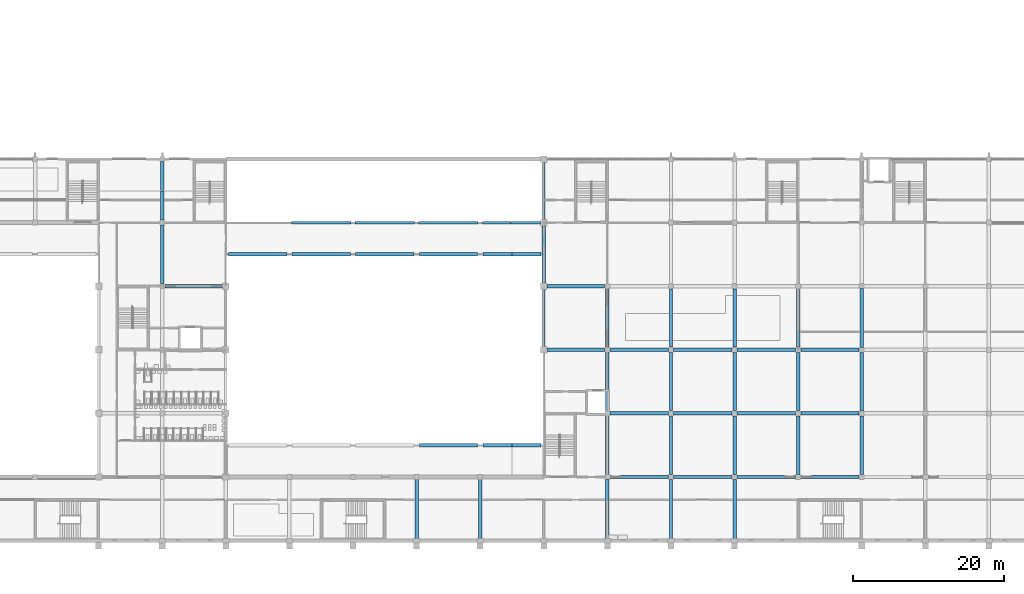
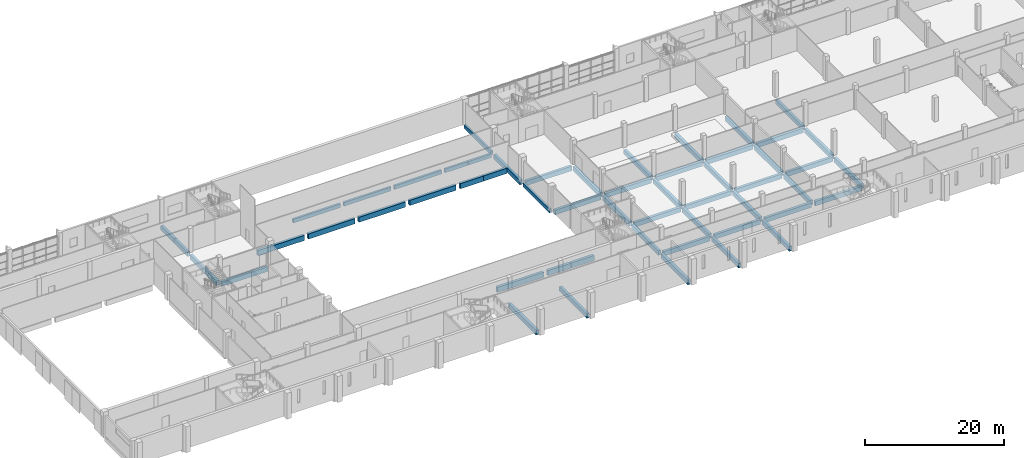
# One storey, part 3 of 64: 55 beams.
"""IFC4 building model written with IfcOpenShell, lengths in metres."""

from ifc_helpers import new_model, si_unit, direction, frame, origin, origin_2d, place, context, subcontext, project, spatial, rectangle, extrude, material, material_profile, profile_set, type_object, element, save


model = new_model("IFC4")

# Units and contexts
model_context = context("Model", 3, precision=1e-05, world=origin(), true_north=direction((0.0, 1.0)))
body_context = subcontext(model_context, "Body", "Model", "MODEL_VIEW")
ifc_project = project(units=[si_unit("LENGTHUNIT", "METRE"), si_unit("AREAUNIT", "SQUARE_METRE"), si_unit("VOLUMEUNIT", "CUBIC_METRE"), si_unit("PLANEANGLEUNIT", "RADIAN"), si_unit("MASSUNIT", "GRAM", prefix="KILO")], contexts=[model_context])

# Site, building, storey
site_placement = place(None, origin())
site = spatial("IfcSite", under=ifc_project, at=site_placement, CompositionType="ELEMENT")
building_placement = place(site_placement, origin())
building = spatial("IfcBuilding", under=site, at=building_placement, Name="Rulbaag Community and Learning Centre", CompositionType="ELEMENT")
storey_placement = place(building_placement, frame((0.0, 0.0, 5.39990234375)))
storey = spatial("IfcBuildingStorey", under=building, at=storey_placement, Name="L01", CompositionType="ELEMENT", Elevation=5.39990234375)

# Beams
ifc_material = material(Name="Concrete M40", Category="concrete")
ifc_material_profile_1 = material_profile(ifc_material, rectangle(XDim=0.449951171875, YDim=0.89990234375, at=origin_2d()), Name="RB450x900")
ifc_profile_set_1 = profile_set([ifc_material_profile_1], Name="Concrete M40")
beam_type_1 = type_object("IfcBeamType", Name="B11 Gallery edge beam 450x900 Concrete M40", PredefinedType="BEAM", material=ifc_profile_set_1)
for number, where, z_axis, x_axis, name in (
    (1, (67.550048828125, 12.60009765625, -0.75), (1.0, 0.0, 0.0), (0.0, 1.0, 0.0), "BM-GAL-12-67"),
    (2, (42.35009765625, 37.800048828125, -0.75), (1.0, 0.0, 0.0), (0.0, 1.0, 0.0), "BM-GAL-37-42"),
    (3, (50.75, 37.800048828125, -0.75), (1.0, 0.0, 0.0), (0.0, 1.0, 0.0), "BM-GAL-37-50"),
):
    element("IfcBeam", number, at=place(storey_placement, frame(where, z_axis=z_axis, x_axis=x_axis)), inside=storey, type_object=beam_type_1, Name=name, PredefinedType="BEAM", context=body_context, shape_type="SweptSolid", body=[
        extrude(rectangle(XDim=0.449951171875, YDim=0.89990234375, at=origin_2d()), origin(), (0.0, 0.0, 1.0), 7.699951171875),
    ])
beam_1_placement = place(storey_placement, frame((59.14990234375, 37.800048828125, -0.75), z_axis=(1.0, 0.0, 0.0), x_axis=(0.0, 1.0, 0.0)))
element("IfcBeam", 4, at=beam_1_placement, inside=storey, type_object=beam_type_1, Name="BM-GAL-37-58", PredefinedType="BEAM", context=body_context, shape_type="SweptSolid", body=[
    extrude(rectangle(XDim=0.449951171875, YDim=0.89990234375, at=origin_2d()), origin(), (0.0, 0.0, 1.0), 7.7001953125),
])
beam_2_placement = place(storey_placement, frame((67.550048828125, 37.800048828125, -0.75), z_axis=(1.0, 0.0, 0.0), x_axis=(0.0, 1.0, 0.0)))
element("IfcBeam", 5, at=beam_2_placement, inside=storey, type_object=beam_type_1, Name="BM-GAL-37-67", PredefinedType="BEAM", context=body_context, shape_type="SweptSolid", body=[
    extrude(rectangle(XDim=0.449951171875, YDim=0.89990234375, at=origin_2d()), origin(), (0.0, 0.0, 1.0), 7.699951171875),
])
ifc_material_profile_2 = material_profile(ifc_material, rectangle(XDim=0.449951171875, YDim=0.800048828125, at=origin_2d()), Name="RB450x800")
ifc_profile_set_2 = profile_set([ifc_material_profile_2], Name="Concrete M40")
beam_type_2 = type_object("IfcBeamType", Name="B21 Library floor beam 450x800 Concrete M40", PredefinedType="BEAM", material=ifc_profile_set_2)
beam_3_placement = place(storey_placement, frame((33.929931640625, 33.60009765625, -0.699951171875), z_axis=(1.0, 0.0, 0.0), x_axis=(0.0, 1.0, 0.0)))
element("IfcBeam", 6, at=beam_3_placement, inside=storey, type_object=beam_type_2, Name="BM-L01-5E-6E", PredefinedType="BEAM", context=body_context, shape_type="SweptSolid", body=[
    extrude(rectangle(XDim=0.449951171875, YDim=0.800048828125, at=origin_2d()), origin(), (0.0, 0.0, 1.0), 7.64013671875),
])
beam_4_placement = place(storey_placement, frame((33.60009765625, 33.929931640625, -0.699951171875), z_axis=(0.0, 1.0, 0.0), x_axis=(-1.0, 0.0, 0.0)))
element("IfcBeam", 7, at=beam_4_placement, inside=storey, type_object=beam_type_2, Name="BM-L01-5E-5F", PredefinedType="BEAM", context=body_context, shape_type="SweptSolid", body=[
    extrude(rectangle(XDim=0.449951171875, YDim=0.800048828125, at=origin_2d()), origin(), (0.0, 0.0, 1.0), 7.739990234375),
])
for number, where, z_axis, x_axis, name in (
    (8, (67.199951171875, 0.22509765625, -0.699951171875), (0.0, 1.0, 0.0), (-1.0, 0.0, 0.0), "BM-L01-9A-9B"),
    (9, (75.60009765625, 0.22509765625, -0.699951171875), (0.0, 1.0, 0.0), (-1.0, 0.0, 0.0), "BM-L01-10A-10B"),
):
    element("IfcBeam", number, at=place(storey_placement, frame(where, z_axis=z_axis, x_axis=x_axis)), inside=storey, type_object=beam_type_2, Name=name, PredefinedType="BEAM", context=body_context, shape_type="SweptSolid", body=[
        extrude(rectangle(XDim=0.449951171875, YDim=0.800048828125, at=origin_2d()), origin(), (0.0, 0.0, 1.0), 7.9248046875),
    ])
for number, where, z_axis, x_axis, name in (
    (10, (84.429931640625, 25.199951171875, -0.699951171875), (1.0, 0.0, 0.0), (0.0, 1.0, 0.0), "BM-L01-11D-12D"),
    (11, (84.429931640625, 33.60009765625, -0.699951171875), (1.0, 0.0, 0.0), (0.0, 1.0, 0.0), "BM-L01-11E-12E"),
):
    element("IfcBeam", number, at=place(storey_placement, frame(where, z_axis=z_axis, x_axis=x_axis)), inside=storey, type_object=beam_type_2, Name=name, PredefinedType="BEAM", context=body_context, shape_type="SweptSolid", body=[
        extrude(rectangle(XDim=0.449951171875, YDim=0.800048828125, at=origin_2d()), origin(), (0.0, 0.0, 1.0), 7.614990234375),
    ])
beam_5_placement = place(storey_placement, frame((84.0, 34.030029296875, -0.699951171875), z_axis=(0.0, 1.0, 0.0), x_axis=(-1.0, 0.0, 0.0)))
element("IfcBeam", 12, at=beam_5_placement, inside=storey, type_object=beam_type_2, Name="BM-L01-11E-11F", PredefinedType="BEAM", context=body_context, shape_type="SweptSolid", body=[
    extrude(rectangle(XDim=0.449951171875, YDim=0.800048828125, at=origin_2d()), origin(), (0.0, 0.0, 1.0), 7.5400390625),
])
beam_6_placement = place(storey_placement, frame((92.39990234375, 0.22509765625, -0.699951171875), z_axis=(0.0, 1.0, 0.0), x_axis=(-1.0, 0.0, 0.0)))
element("IfcBeam", 13, at=beam_6_placement, inside=storey, type_object=beam_type_2, Name="BM-L01-12A-12B", PredefinedType="BEAM", context=body_context, shape_type="SweptSolid", body=[
    extrude(rectangle(XDim=0.449951171875, YDim=0.800048828125, at=origin_2d()), origin(), (0.0, 0.0, 1.0), 7.81982421875),
])
for number, where, z_axis, x_axis, name in (
    (14, (92.7548828125, 8.39990234375, -0.699951171875), (1.0, 0.0, 0.0), (0.0, 1.0, 0.0), "BM-L01-12B-13B"),
    (15, (92.39990234375, 8.7548828125, -0.699951171875), (0.0, 1.0, 0.0), (-1.0, 0.0, 0.0), "BM-L01-12B-12C"),
    (16, (92.7548828125, 16.800048828125, -0.699951171875), (1.0, 0.0, 0.0), (0.0, 1.0, 0.0), "BM-L01-12C-13C"),
):
    element("IfcBeam", number, at=place(storey_placement, frame(where, z_axis=z_axis, x_axis=x_axis)), inside=storey, type_object=beam_type_2, Name=name, PredefinedType="BEAM", context=body_context, shape_type="SweptSolid", body=[
        extrude(rectangle(XDim=0.449951171875, YDim=0.800048828125, at=origin_2d()), origin(), (0.0, 0.0, 1.0), 7.690185546875),
    ])
beam_7_placement = place(storey_placement, frame((92.39990234375, 17.155029296875, -0.699951171875), z_axis=(0.0, 1.0, 0.0), x_axis=(-1.0, 0.0, 0.0)))
element("IfcBeam", 17, at=beam_7_placement, inside=storey, type_object=beam_type_2, Name="BM-L01-12C-12D", PredefinedType="BEAM", context=body_context, shape_type="SweptSolid", body=[
    extrude(rectangle(XDim=0.449951171875, YDim=0.800048828125, at=origin_2d()), origin(), (0.0, 0.0, 1.0), 7.68994140625),
])
for number, where, z_axis, x_axis, name in (
    (18, (92.7548828125, 25.199951171875, -0.699951171875), (1.0, 0.0, 0.0), (0.0, 1.0, 0.0), "BM-L01-12D-13D"),
    (19, (92.39990234375, 25.554931640625, -0.699951171875), (0.0, 1.0, 0.0), (-1.0, 0.0, 0.0), "BM-L01-12D-12E"),
):
    element("IfcBeam", number, at=place(storey_placement, frame(where, z_axis=z_axis, x_axis=x_axis)), inside=storey, type_object=beam_type_2, Name=name, PredefinedType="BEAM", context=body_context, shape_type="SweptSolid", body=[
        extrude(rectangle(XDim=0.449951171875, YDim=0.800048828125, at=origin_2d()), origin(), (0.0, 0.0, 1.0), 7.690185546875),
    ])
beam_8_placement = place(storey_placement, frame((100.800048828125, 0.22509765625, -0.699951171875), z_axis=(0.0, 1.0, 0.0), x_axis=(-1.0, 0.0, 0.0)))
element("IfcBeam", 20, at=beam_8_placement, inside=storey, type_object=beam_type_2, Name="BM-L01-13A-13B", PredefinedType="BEAM", context=body_context, shape_type="SweptSolid", body=[
    extrude(rectangle(XDim=0.449951171875, YDim=0.800048828125, at=origin_2d()), origin(), (0.0, 0.0, 1.0), 7.81982421875),
])
beam_9_placement = place(storey_placement, frame((101.155029296875, 8.39990234375, -0.699951171875), z_axis=(1.0, 0.0, 0.0), x_axis=(0.0, 1.0, 0.0)))
element("IfcBeam", 21, at=beam_9_placement, inside=storey, type_object=beam_type_2, Name="BM-L01-13B-14B", PredefinedType="BEAM", context=body_context, shape_type="SweptSolid", body=[
    extrude(rectangle(XDim=0.449951171875, YDim=0.800048828125, at=origin_2d()), origin(), (0.0, 0.0, 1.0), 7.68994140625),
])
beam_10_placement = place(storey_placement, frame((100.800048828125, 8.7548828125, -0.699951171875), z_axis=(0.0, 1.0, 0.0), x_axis=(-1.0, 0.0, 0.0)))
element("IfcBeam", 22, at=beam_10_placement, inside=storey, type_object=beam_type_2, Name="BM-L01-13B-13C", PredefinedType="BEAM", context=body_context, shape_type="SweptSolid", body=[
    extrude(rectangle(XDim=0.449951171875, YDim=0.800048828125, at=origin_2d()), origin(), (0.0, 0.0, 1.0), 7.690185546875),
])
for number, where, z_axis, x_axis, name in (
    (23, (101.155029296875, 16.800048828125, -0.699951171875), (1.0, 0.0, 0.0), (0.0, 1.0, 0.0), "BM-L01-13C-14C"),
    (24, (100.800048828125, 17.155029296875, -0.699951171875), (0.0, 1.0, 0.0), (-1.0, 0.0, 0.0), "BM-L01-13C-13D"),
    (25, (101.155029296875, 25.199951171875, -0.699951171875), (1.0, 0.0, 0.0), (0.0, 1.0, 0.0), "BM-L01-13D-14D"),
):
    element("IfcBeam", number, at=place(storey_placement, frame(where, z_axis=z_axis, x_axis=x_axis)), inside=storey, type_object=beam_type_2, Name=name, PredefinedType="BEAM", context=body_context, shape_type="SweptSolid", body=[
        extrude(rectangle(XDim=0.449951171875, YDim=0.800048828125, at=origin_2d()), origin(), (0.0, 0.0, 1.0), 7.68994140625),
    ])
beam_11_placement = place(storey_placement, frame((100.800048828125, 25.554931640625, -0.699951171875), z_axis=(0.0, 1.0, 0.0), x_axis=(-1.0, 0.0, 0.0)))
element("IfcBeam", 26, at=beam_11_placement, inside=storey, type_object=beam_type_2, Name="BM-L01-13D-13E", PredefinedType="BEAM", context=body_context, shape_type="SweptSolid", body=[
    extrude(rectangle(XDim=0.449951171875, YDim=0.800048828125, at=origin_2d()), origin(), (0.0, 0.0, 1.0), 7.690185546875),
])
beam_12_placement = place(storey_placement, frame((109.199951171875, 0.22509765625, -0.699951171875), z_axis=(0.0, 1.0, 0.0), x_axis=(-1.0, 0.0, 0.0)))
element("IfcBeam", 27, at=beam_12_placement, inside=storey, type_object=beam_type_2, Name="BM-L01-14A-14B", PredefinedType="BEAM", context=body_context, shape_type="SweptSolid", body=[
    extrude(rectangle(XDim=0.449951171875, YDim=0.800048828125, at=origin_2d()), origin(), (0.0, 0.0, 1.0), 7.81982421875),
])
for number, where, z_axis, x_axis, name in (
    (28, (109.554931640625, 8.39990234375, -0.699951171875), (1.0, 0.0, 0.0), (0.0, 1.0, 0.0), "BM-L01-14B-15B"),
    (29, (109.199951171875, 8.7548828125, -0.699951171875), (0.0, 1.0, 0.0), (-1.0, 0.0, 0.0), "BM-L01-14B-14C"),
    (30, (109.554931640625, 16.800048828125, -0.699951171875), (1.0, 0.0, 0.0), (0.0, 1.0, 0.0), "BM-L01-14C-15C"),
):
    element("IfcBeam", number, at=place(storey_placement, frame(where, z_axis=z_axis, x_axis=x_axis)), inside=storey, type_object=beam_type_2, Name=name, PredefinedType="BEAM", context=body_context, shape_type="SweptSolid", body=[
        extrude(rectangle(XDim=0.449951171875, YDim=0.800048828125, at=origin_2d()), origin(), (0.0, 0.0, 1.0), 7.690185546875),
    ])
beam_13_placement = place(storey_placement, frame((109.199951171875, 17.155029296875, -0.699951171875), z_axis=(0.0, 1.0, 0.0), x_axis=(-1.0, 0.0, 0.0)))
element("IfcBeam", 31, at=beam_13_placement, inside=storey, type_object=beam_type_2, Name="BM-L01-14C-14D", PredefinedType="BEAM", context=body_context, shape_type="SweptSolid", body=[
    extrude(rectangle(XDim=0.449951171875, YDim=0.800048828125, at=origin_2d()), origin(), (0.0, 0.0, 1.0), 7.68994140625),
])
for number, where, z_axis, x_axis, name in (
    (32, (109.554931640625, 25.199951171875, -0.699951171875), (1.0, 0.0, 0.0), (0.0, 1.0, 0.0), "BM-L01-14D-15D"),
    (33, (109.199951171875, 25.554931640625, -0.699951171875), (0.0, 1.0, 0.0), (-1.0, 0.0, 0.0), "BM-L01-14D-14E"),
):
    element("IfcBeam", number, at=place(storey_placement, frame(where, z_axis=z_axis, x_axis=x_axis)), inside=storey, type_object=beam_type_2, Name=name, PredefinedType="BEAM", context=body_context, shape_type="SweptSolid", body=[
        extrude(rectangle(XDim=0.449951171875, YDim=0.800048828125, at=origin_2d()), origin(), (0.0, 0.0, 1.0), 7.690185546875),
    ])
beam_14_placement = place(storey_placement, frame((117.955078125, 8.39990234375, -0.699951171875), z_axis=(1.0, 0.0, 0.0), x_axis=(0.0, 1.0, 0.0)))
element("IfcBeam", 34, at=beam_14_placement, inside=storey, type_object=beam_type_2, Name="BM-L01-15B-16B", PredefinedType="BEAM", context=body_context, shape_type="SweptSolid", body=[
    extrude(rectangle(XDim=0.449951171875, YDim=0.800048828125, at=origin_2d()), origin(), (0.0, 0.0, 1.0), 7.71484375),
])
beam_15_placement = place(storey_placement, frame((117.60009765625, 8.7548828125, -0.699951171875), z_axis=(0.0, 1.0, 0.0), x_axis=(-1.0, 0.0, 0.0)))
element("IfcBeam", 35, at=beam_15_placement, inside=storey, type_object=beam_type_2, Name="BM-L01-15B-15C", PredefinedType="BEAM", context=body_context, shape_type="SweptSolid", body=[
    extrude(rectangle(XDim=0.449951171875, YDim=0.800048828125, at=origin_2d()), origin(), (0.0, 0.0, 1.0), 7.690185546875),
])
beam_16_placement = place(storey_placement, frame((117.955078125, 16.800048828125, -0.699951171875), z_axis=(1.0, 0.0, 0.0), x_axis=(0.0, 1.0, 0.0)))
element("IfcBeam", 36, at=beam_16_placement, inside=storey, type_object=beam_type_2, Name="BM-L01-15C-16C", PredefinedType="BEAM", context=body_context, shape_type="SweptSolid", body=[
    extrude(rectangle(XDim=0.449951171875, YDim=0.800048828125, at=origin_2d()), origin(), (0.0, 0.0, 1.0), 7.71484375),
])
beam_17_placement = place(storey_placement, frame((117.60009765625, 17.155029296875, -0.699951171875), z_axis=(0.0, 1.0, 0.0), x_axis=(-1.0, 0.0, 0.0)))
element("IfcBeam", 37, at=beam_17_placement, inside=storey, type_object=beam_type_2, Name="BM-L01-15C-15D", PredefinedType="BEAM", context=body_context, shape_type="SweptSolid", body=[
    extrude(rectangle(XDim=0.449951171875, YDim=0.800048828125, at=origin_2d()), origin(), (0.0, 0.0, 1.0), 7.68994140625),
])
beam_18_placement = place(storey_placement, frame((117.955078125, 25.199951171875, -0.699951171875), z_axis=(1.0, 0.0, 0.0), x_axis=(0.0, 1.0, 0.0)))
element("IfcBeam", 38, at=beam_18_placement, inside=storey, type_object=beam_type_2, Name="BM-L01-15D-16D", PredefinedType="BEAM", context=body_context, shape_type="SweptSolid", body=[
    extrude(rectangle(XDim=0.449951171875, YDim=0.800048828125, at=origin_2d()), origin(), (0.0, 0.0, 1.0), 7.71484375),
])
beam_19_placement = place(storey_placement, frame((117.60009765625, 25.554931640625, -0.699951171875), z_axis=(0.0, 1.0, 0.0), x_axis=(-1.0, 0.0, 0.0)))
element("IfcBeam", 39, at=beam_19_placement, inside=storey, type_object=beam_type_2, Name="BM-L01-15D-15E", PredefinedType="BEAM", context=body_context, shape_type="SweptSolid", body=[
    extrude(rectangle(XDim=0.449951171875, YDim=0.800048828125, at=origin_2d()), origin(), (0.0, 0.0, 1.0), 7.690185546875),
])
beam_20_placement = place(storey_placement, frame((126.0, 8.72998046875, -0.699951171875), z_axis=(0.0, 1.0, 0.0), x_axis=(-1.0, 0.0, 0.0)))
element("IfcBeam", 40, at=beam_20_placement, inside=storey, type_object=beam_type_2, Name="BM-L01-16B-16C", PredefinedType="BEAM", context=body_context, shape_type="SweptSolid", body=[
    extrude(rectangle(XDim=0.449951171875, YDim=0.800048828125, at=origin_2d()), origin(), (0.0, 0.0, 1.0), 7.739990234375),
])
beam_21_placement = place(storey_placement, frame((126.0, 17.1298828125, -0.699951171875), z_axis=(0.0, 1.0, 0.0), x_axis=(-1.0, 0.0, 0.0)))
element("IfcBeam", 41, at=beam_21_placement, inside=storey, type_object=beam_type_2, Name="BM-L01-16C-16D", PredefinedType="BEAM", context=body_context, shape_type="SweptSolid", body=[
    extrude(rectangle(XDim=0.449951171875, YDim=0.800048828125, at=origin_2d()), origin(), (0.0, 0.0, 1.0), 7.740234375),
])
beam_22_placement = place(storey_placement, frame((126.0, 25.530029296875, -0.699951171875), z_axis=(0.0, 1.0, 0.0), x_axis=(-1.0, 0.0, 0.0)))
element("IfcBeam", 42, at=beam_22_placement, inside=storey, type_object=beam_type_2, Name="BM-L01-16D-16E", PredefinedType="BEAM", context=body_context, shape_type="SweptSolid", body=[
    extrude(rectangle(XDim=0.449951171875, YDim=0.800048828125, at=origin_2d()), origin(), (0.0, 0.0, 1.0), 7.739990234375),
])
ifc_material_profile_3 = material_profile(ifc_material, rectangle(XDim=0.449951171875, YDim=0.800048828125, at=origin_2d()), Name="RB450x800")
ifc_profile_set_3 = profile_set([ifc_material_profile_3], Name="Concrete M40")
beam_type_3 = type_object("IfcBeamType", Name="B25 Movement joint cantilever beam 450x800 Concrete M40", PredefinedType="BEAM", material=ifc_profile_set_3)
for number, where, z_axis, x_axis, name in (
    (43, (33.60009765625, 42.330078125, -0.699951171875), (0.0, 1.0, 0.0), (-1.0, 0.0, 0.0), "BM-L01-5F-5G-A"),
    (44, (33.60009765625, 46.22509765625, -0.699951171875), (0.0, 1.0, 0.0), (-1.0, 0.0, 0.0), "BM-L01-5F-5G-B"),
):
    element("IfcBeam", number, at=place(storey_placement, frame(where, z_axis=z_axis, x_axis=x_axis)), inside=storey, type_object=beam_type_3, Name=name, PredefinedType="BEAM", context=body_context, shape_type="SweptSolid", body=[
        extrude(rectangle(XDim=0.449951171875, YDim=0.800048828125, at=origin_2d()), origin(), (0.0, 0.0, 1.0), 3.844970703125),
    ])
ifc_material_profile_4 = material_profile(ifc_material, rectangle(XDim=0.35009765625, YDim=0.64990234375, at=origin_2d()), Name="RB350x650")
ifc_profile_set_4 = profile_set([ifc_material_profile_4], Name="Concrete M40")
beam_type_4 = type_object("IfcBeamType", Name="B28 Movement joint cantilever beam 350x650 Concrete M40", PredefinedType="BEAM", material=ifc_profile_set_4)
for number, where, z_axis, x_axis, name in (
    (45, (75.8798828125, 42.0, -0.625), (1.0, 0.0, 0.0), (0.0, 1.0, 0.0), "BM-L01-10F-11F-A"),
    (46, (79.75, 42.0, -0.625), (1.0, 0.0, 0.0), (0.0, 1.0, 0.0), "BM-L01-10F-11F-B"),
):
    element("IfcBeam", number, at=place(storey_placement, frame(where, z_axis=z_axis, x_axis=x_axis)), inside=storey, type_object=beam_type_4, Name=name, PredefinedType="BEAM", context=body_context, shape_type="SweptSolid", body=[
        extrude(rectangle(XDim=0.35009765625, YDim=0.64990234375, at=origin_2d()), origin(), (0.0, 0.0, 1.0), 3.820068359375),
    ])
ifc_material_profile_5 = material_profile(ifc_material, rectangle(XDim=0.449951171875, YDim=0.89990234375, at=origin_2d()), Name="RB450x900")
ifc_profile_set_5 = profile_set([ifc_material_profile_5], Name="Concrete M40")
beam_type_5 = type_object("IfcBeamType", Name="B29 Movement joint cantilever beam 450x900 Concrete M40", PredefinedType="BEAM", material=ifc_profile_set_5)
for number, where, z_axis, x_axis, name in (
    (47, (75.949951171875, 12.60009765625, -0.75), (1.0, 0.0, 0.0), (0.0, 1.0, 0.0), "BM-GAL-12-75-A"),
    (48, (79.824951171875, 12.60009765625, -0.75), (1.0, 0.0, 0.0), (0.0, 1.0, 0.0), "BM-GAL-12-75-B"),
    (49, (75.949951171875, 37.800048828125, -0.75), (1.0, 0.0, 0.0), (0.0, 1.0, 0.0), "BM-GAL-37-75-A"),
    (50, (79.824951171875, 37.800048828125, -0.75), (1.0, 0.0, 0.0), (0.0, 1.0, 0.0), "BM-GAL-37-75-B"),
):
    element("IfcBeam", number, at=place(storey_placement, frame(where, z_axis=z_axis, x_axis=x_axis)), inside=storey, type_object=beam_type_5, Name=name, PredefinedType="BEAM", context=body_context, shape_type="SweptSolid", body=[
        extrude(rectangle(XDim=0.449951171875, YDim=0.89990234375, at=origin_2d()), origin(), (0.0, 0.0, 1.0), 3.824951171875),
    ])
ifc_material_profile_6 = material_profile(ifc_material, rectangle(XDim=0.35009765625, YDim=0.64990234375, at=origin_2d()), Name="RB350x650")
ifc_profile_set_6 = profile_set([ifc_material_profile_6], Name="Concrete M40")
beam_type_6 = type_object("IfcBeamType", Name="B8 Hall wing edge beam 350x650 Concrete M40", PredefinedType="BEAM", material=ifc_profile_set_6)
beam_23_placement = place(storey_placement, frame((50.679931640625, 42.0, -0.625), z_axis=(1.0, 0.0, 0.0), x_axis=(0.0, 1.0, 0.0)))
element("IfcBeam", 51, at=beam_23_placement, inside=storey, type_object=beam_type_6, Name="BM-L01-7F-8F", PredefinedType="BEAM", context=body_context, shape_type="SweptSolid", body=[
    extrude(rectangle(XDim=0.35009765625, YDim=0.64990234375, at=origin_2d()), origin(), (0.0, 0.0, 1.0), 7.840087890625),
])
beam_24_placement = place(storey_placement, frame((59.080078125, 42.0, -0.625), z_axis=(1.0, 0.0, 0.0), x_axis=(0.0, 1.0, 0.0)))
element("IfcBeam", 52, at=beam_24_placement, inside=storey, type_object=beam_type_6, Name="BM-L01-8F-9F", PredefinedType="BEAM", context=body_context, shape_type="SweptSolid", body=[
    extrude(rectangle(XDim=0.35009765625, YDim=0.64990234375, at=origin_2d()), origin(), (0.0, 0.0, 1.0), 7.83984375),
])
beam_25_placement = place(storey_placement, frame((67.47998046875, 42.0, -0.625), z_axis=(1.0, 0.0, 0.0), x_axis=(0.0, 1.0, 0.0)))
element("IfcBeam", 53, at=beam_25_placement, inside=storey, type_object=beam_type_6, Name="BM-L01-9F-10F", PredefinedType="BEAM", context=body_context, shape_type="SweptSolid", body=[
    extrude(rectangle(XDim=0.35009765625, YDim=0.64990234375, at=origin_2d()), origin(), (0.0, 0.0, 1.0), 7.840087890625),
])
beam_26_placement = place(storey_placement, frame((84.0, 25.6298828125, -0.625), z_axis=(0.0, 1.0, 0.0), x_axis=(-1.0, 0.0, 0.0)))
element("IfcBeam", 54, at=beam_26_placement, inside=storey, type_object=beam_type_6, Name="BM-L01-11D-11E", PredefinedType="BEAM", context=body_context, shape_type="SweptSolid", body=[
    extrude(rectangle(XDim=0.35009765625, YDim=0.64990234375, at=origin_2d()), origin(), (0.0, 0.0, 1.0), 7.5400390625),
])
beam_27_placement = place(storey_placement, frame((84.0, 42.429931640625, -0.625), z_axis=(0.0, 1.0, 0.0), x_axis=(-1.0, 0.0, 0.0)))
element("IfcBeam", 55, at=beam_27_placement, inside=storey, type_object=beam_type_6, Name="BM-L01-11F-11G", PredefinedType="BEAM", context=body_context, shape_type="SweptSolid", body=[
    extrude(rectangle(XDim=0.35009765625, YDim=0.64990234375, at=origin_2d()), origin(), (0.0, 0.0, 1.0), 7.719970703125),
])

save(model, "model.ifc")
